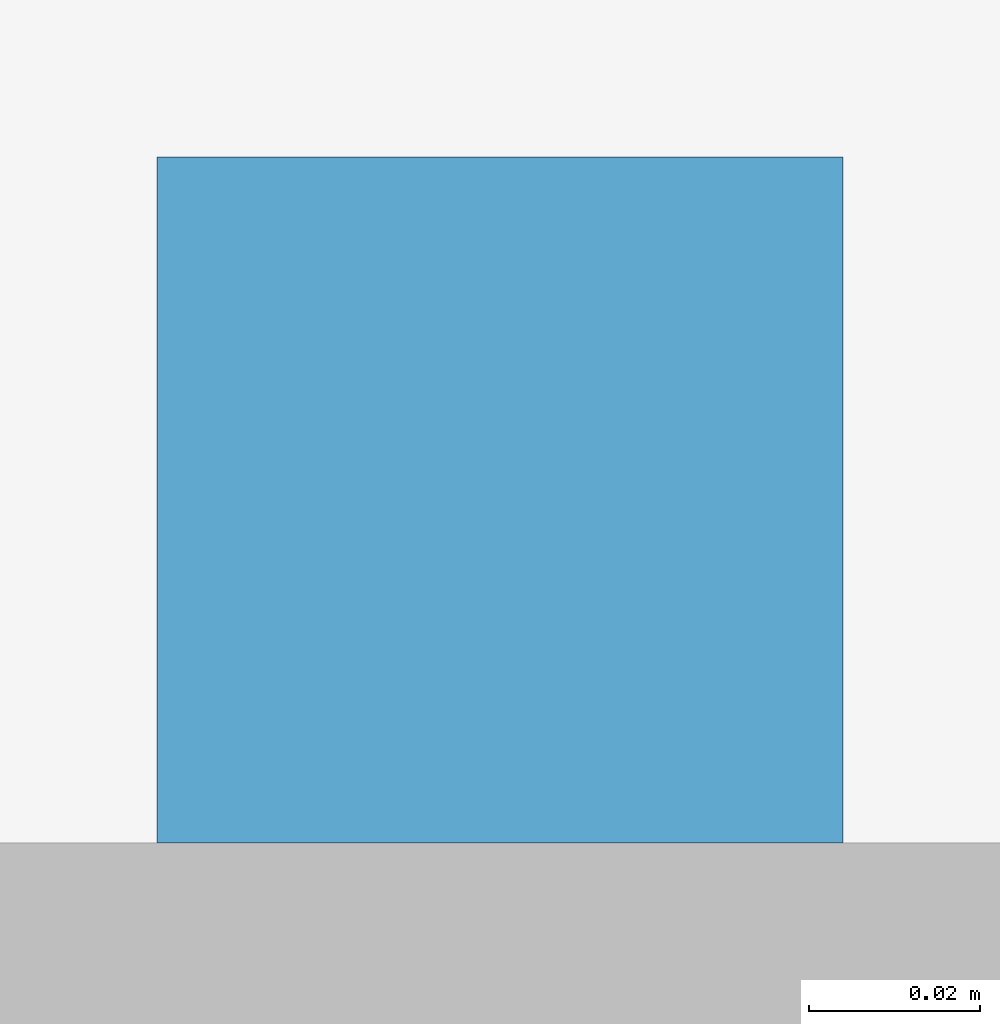
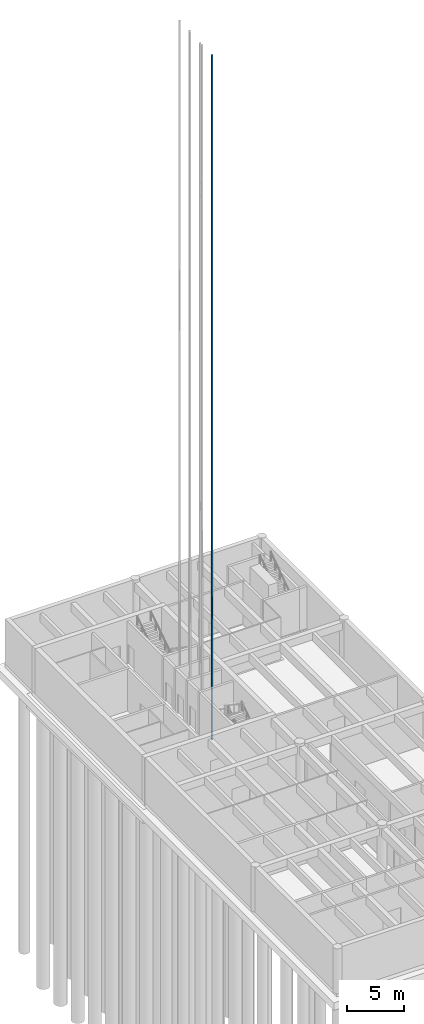
# One storey, part 15 of 24: 1 building element part.
"""IFC4 building model written with IfcOpenShell, lengths in metres."""

from ifc_helpers import new_model, si_unit, direction, frame, origin, origin_2d, place, context, subcontext, project, spatial, rectangle, extrude, element, save


model = new_model("IFC4")

# Units and contexts
model_context = context("Model", 3, precision=1e-05, world=origin(), true_north=direction((0.0, 1.0)))
body_context = subcontext(model_context, "Body", "Model", "MODEL_VIEW")
ifc_project = project(units=[si_unit("LENGTHUNIT", "METRE"), si_unit("AREAUNIT", "SQUARE_METRE"), si_unit("VOLUMEUNIT", "CUBIC_METRE"), si_unit("PLANEANGLEUNIT", "RADIAN"), si_unit("MASSUNIT", "GRAM", prefix="KILO")], contexts=[model_context])

# Site, building, storey
site_placement = place(None, origin())
site = spatial("IfcSite", under=ifc_project, at=site_placement, CompositionType="ELEMENT")
building_placement = place(site_placement, origin())
building = spatial("IfcBuilding", under=site, at=building_placement, Name="Fogon Plaza Fire Station and Headquarters Tower", CompositionType="ELEMENT")
storey_placement = place(building_placement, frame((0.0, 0.0, -4.800048828125)))
storey = spatial("IfcBuildingStorey", under=building, at=storey_placement, Name="B1", CompositionType="ELEMENT", Elevation=-4.800048828125)

# Building element part
building_element_part_placement = place(storey_placement, frame((74.52490234375, 40.215087890625, -1.19970703125), z_axis=(0.0, 0.0, 1.0), x_axis=(1.0, 0.0, 0.0)))
element("IfcBuildingElementPart", 1, at=building_element_part_placement, inside=storey, Name="Guide rail LP3 1", ObjectType="Guide rail", PredefinedType="USERDEFINED", context=body_context, shape_type="SweptSolid", body=[
    extrude(rectangle(XDim=0.080078125, YDim=0.080078125, at=origin_2d()), origin(), (0.0, 0.0, 1.0), 73.199951171875),
])

save(model, "model.ifc")
